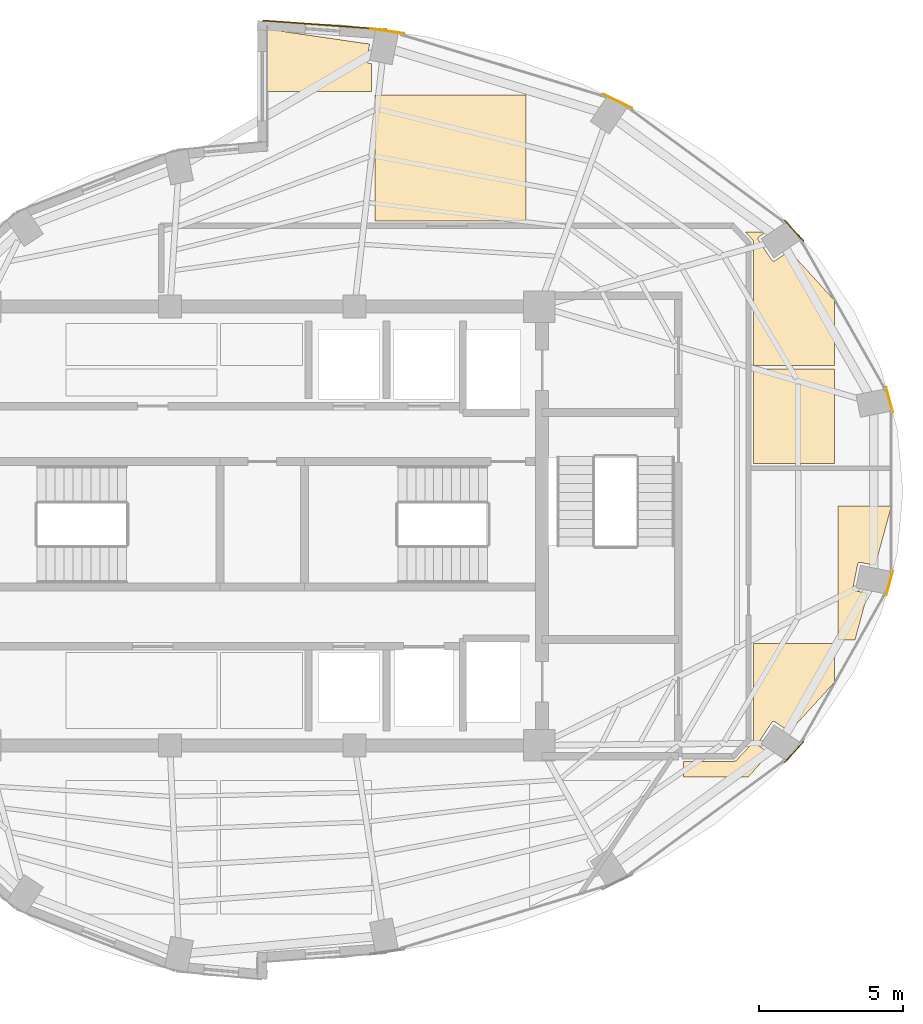
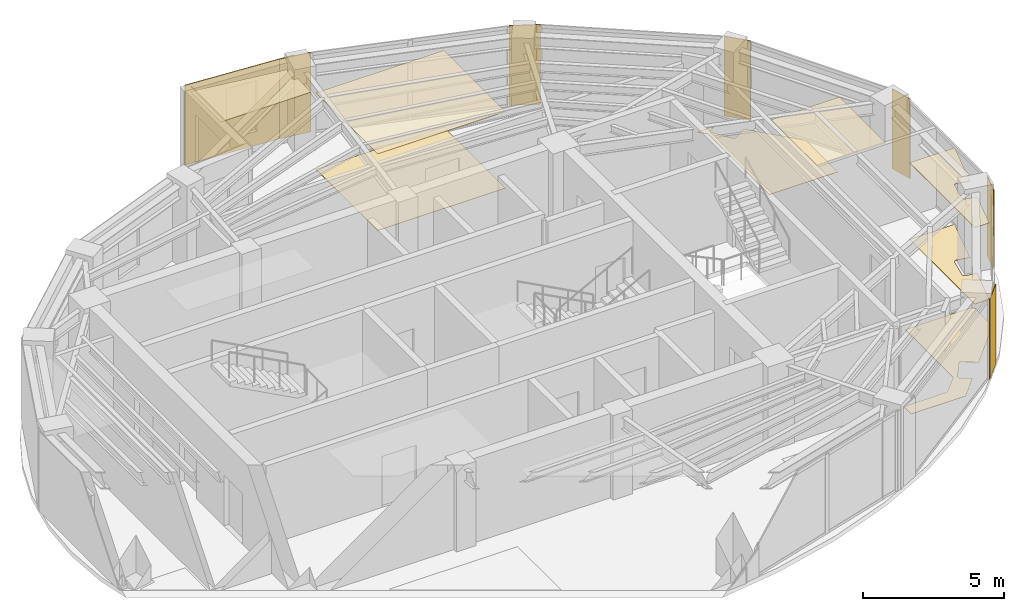
# One storey, part 12 of 12: 15 coverings.
"""IFC4 building model written with IfcOpenShell, lengths in metres."""

from ifc_helpers import new_model, si_unit, direction, frame, origin, origin_2d, place, context, subcontext, project, spatial, polyline, rectangle, outline, extrude, material, layer, layer_set, type_object, element, save


model = new_model("IFC4")

# Units and contexts
model_context = context("Model", 3, precision=1e-05, world=origin(), true_north=direction((0.0, 1.0)))
body_context = subcontext(model_context, "Body", "Model", "MODEL_VIEW")
ifc_project = project(units=[si_unit("LENGTHUNIT", "METRE"), si_unit("AREAUNIT", "SQUARE_METRE"), si_unit("VOLUMEUNIT", "CUBIC_METRE"), si_unit("PLANEANGLEUNIT", "RADIAN"), si_unit("MASSUNIT", "GRAM", prefix="KILO")], contexts=[model_context])

# Site, building, storey
site_placement = place(None, origin())
site = spatial("IfcSite", under=ifc_project, at=site_placement, CompositionType="ELEMENT")
building_placement = place(site_placement, origin())
building = spatial("IfcBuilding", under=site, at=building_placement, Name="Lazwardi Medical Tower", CompositionType="ELEMENT")
storey_placement = place(building_placement, frame((0.0, 0.0, 287.85595703125)))
storey = spatial("IfcBuildingStorey", under=building, at=storey_placement, Name="L75", CompositionType="ELEMENT", Elevation=287.85595703125)

# Coverings
ifc_material_1 = material(Name="Anodised bronze aluminium cassette cladding", Category="aluminium")
ifc_layer_1 = layer(ifc_material_1, 0.030029296875)
ifc_layer_set_1 = layer_set([ifc_layer_1], Name="Anodised bronze aluminium cassette cladding")
covering_type_1 = type_object("IfcCoveringType", Name="COV-CLD-BRZ", PredefinedType="CLADDING", material=ifc_layer_set_1)
covering_1_placement = place(storey_placement, frame((54.42529296875, 20.165283203125, 0.0), z_axis=(0.0, 0.0, 1.0), x_axis=(0.673240970654, 0.739423150458, 0.0)))
element("IfcCovering", 1, at=covering_1_placement, inside=storey, type_object=covering_type_1, Name="L75 Mega-column bronze cassette cover M03", PredefinedType="CLADDING", context=body_context, shape_type="SweptSolid", body=[
    extrude(rectangle(XDim=0.98974609375, YDim=0.030029296875, at=origin_2d()), origin(), (0.0, 0.0, 1.0), 3.447998046875),
])
for number, where, z_axis, x_axis, name in (
    (2, (57.734130859375, 26.02734375, 0.0), (0.0, 0.0, 1.0), (0.261641748247, 0.96516506131, 0.0), "L75 Mega-column bronze cassette cover M04"),
    (3, (57.734130859375, 32.37255859375, 0.0), (0.0, 0.0, 1.0), (-0.261641748247, 0.96516506131, 0.0), "L75 Mega-column bronze cassette cover M05"),
):
    element("IfcCovering", number, at=place(storey_placement, frame(where, z_axis=z_axis, x_axis=x_axis)), inside=storey, type_object=covering_type_1, Name=name, PredefinedType="CLADDING", context=body_context, shape_type="SweptSolid", body=[
        extrude(rectangle(XDim=0.894287109375, YDim=0.030029296875, at=origin_2d()), origin(), (0.0, 0.0, 1.0), 3.447998046875),
    ])
covering_2_placement = place(storey_placement, frame((54.42529296875, 38.234619140625, 0.0), z_axis=(0.0, 0.0, 1.0), x_axis=(-0.673240970654, 0.739423150458, 0.0)))
element("IfcCovering", 4, at=covering_2_placement, inside=storey, type_object=covering_type_1, Name="L75 Mega-column bronze cassette cover M06", PredefinedType="CLADDING", context=body_context, shape_type="SweptSolid", body=[
    extrude(rectangle(XDim=0.98974609375, YDim=0.030029296875, at=origin_2d()), origin(), (0.0, 0.0, 1.0), 3.447998046875),
])
covering_3_placement = place(storey_placement, frame((48.311279296875, 42.721435546875, 0.0), z_axis=(0.0, 0.0, 1.0), x_axis=(-0.897840141691, 0.440321564278, 0.0)))
element("IfcCovering", 5, at=covering_3_placement, inside=storey, type_object=covering_type_1, Name="L75 Mega-column bronze cassette cover M07", PredefinedType="CLADDING", context=body_context, shape_type="SweptSolid", body=[
    extrude(rectangle(XDim=1.110595703125, YDim=0.030029296875, at=origin_2d()), origin(), (0.0, 0.0, 1.0), 3.447998046875),
])
covering_4_placement = place(storey_placement, frame((40.3232421875, 45.1494140625, 0.0), z_axis=(0.0, 0.0, 1.0), x_axis=(-0.989512431533, 0.144447733943, 0.0)))
element("IfcCovering", 6, at=covering_4_placement, inside=storey, type_object=covering_type_1, Name="L75 Mega-column bronze cassette cover M08", PredefinedType="CLADDING", context=body_context, shape_type="SweptSolid", body=[
    extrude(rectangle(XDim=1.188720703125, YDim=0.030029296875, at=origin_2d()), origin(), (0.0, 0.0, 1.0), 3.447998046875),
])
ifc_material_2 = material(Name="Turquoise glazed ceramic tilework cladding", Category="masonry")
ifc_layer_2 = layer(ifc_material_2, 0.034912109375)
ifc_layer_set_2 = layer_set([ifc_layer_2], Name="Turquoise glazed ceramic tilework cladding")
covering_type_2 = type_object("IfcCoveringType", Name="COV-CLD-TRQ", PredefinedType="CLADDING", material=ifc_layer_set_2)
covering_5_placement = place(storey_placement, frame((38.16259765625, 45.360107421875, 0.0), z_axis=(0.0, 0.0, 1.0), x_axis=(-0.997409491337, 0.071932653157, 0.0)))
element("IfcCovering", 7, at=covering_5_placement, inside=storey, type_object=covering_type_2, Name="L75 Turquoise glazed ceramic tilework cladding", PredefinedType="CLADDING", context=body_context, shape_type="SweptSolid", body=[
    extrude(rectangle(XDim=4.31103515625, YDim=0.034912109375, at=origin_2d()), origin(), (0.0, 0.0, 1.0), 3.447998046875),
])
ifc_material_3 = material(Name="Acoustic mineral fibre tile")
ifc_layer_3 = layer(ifc_material_3, 0.02490234375)
ifc_layer_set_3 = layer_set([ifc_layer_3], Name="Acoustic mineral fibre tile")
covering_type_3 = type_object("IfcCoveringType", Name="COV-CLG-01", PredefinedType="CEILING", material=ifc_layer_set_3)
covering_6_placement = place(storey_placement, frame((0.0, 0.0, 3.302978515625)))
element("IfcCovering", 8, at=covering_6_placement, inside=storey, type_object=covering_type_3, Name="L75 Clinical Acoustic Ceiling 5", PredefinedType="CEILING", context=body_context, shape_type="SweptSolid", body=[
    extrude(outline(polyline([(39.78173828125, 44.021484375), (39.67529296875, 44.042724609375), (39.667724609375, 44.044677734375), (39.660400390625, 44.04736328125), (39.6533203125, 44.050537109375), (39.646484375, 44.0546875), (39.64013671875, 44.059326171875), (39.63427734375, 44.064697265625), (39.629150390625, 44.0703125), (39.62451171875, 44.076904296875), (39.620361328125, 44.08349609375), (39.616943359375, 44.090576171875), (39.6142578125, 44.097900390625), (39.6123046875, 44.105712890625), (39.611328125, 44.11328125), (39.61083984375, 44.12109375), (39.611328125, 44.12890625), (39.6123046875, 44.13671875), (39.723876953125, 44.697021484375), (36.080078125, 45.2275390625), (36.080078125, 43.056396484375), (39.78173828125, 43.056396484375), (39.78173828125, 44.021484375)])), origin(), (0.0, 0.0, 1.0), 0.025146484375),
])
covering_7_placement = place(storey_placement, frame((0.0, 0.0, 3.302978515625)))
element("IfcCovering", 9, at=covering_7_placement, inside=storey, type_object=covering_type_3, Name="L75 Clinical Acoustic Ceiling 6", PredefinedType="CEILING", context=body_context, shape_type="SweptSolid", body=[
    extrude(outline(polyline([(39.90185546875, 38.574951171875), (45.1318359375, 38.574951171875), (45.1318359375, 42.936279296875), (39.90185546875, 42.936279296875), (39.90185546875, 38.574951171875)])), origin(), (0.0, 0.0, 1.0), 0.025146484375),
])
covering_8_placement = place(storey_placement, frame((0.0, 0.0, 3.302978515625)))
element("IfcCovering", 10, at=covering_8_placement, inside=storey, type_object=covering_type_3, Name="L75 Clinical Acoustic Ceiling 7", PredefinedType="CEILING", context=body_context, shape_type="SweptSolid", body=[
    extrude(outline(polyline([(53.02490234375, 33.436279296875), (53.02490234375, 30.1650390625), (55.831787109375, 30.1650390625), (55.831787109375, 33.436279296875), (53.02490234375, 33.436279296875)])), origin(), (0.0, 0.0, 1.0), 0.025146484375),
])
covering_9_placement = place(storey_placement, frame((0.0, 0.0, 3.302978515625)))
element("IfcCovering", 11, at=covering_9_placement, inside=storey, type_object=covering_type_3, Name="L75 Clinical Acoustic Ceiling 8", PredefinedType="CEILING", context=body_context, shape_type="SweptSolid", body=[
    extrude(outline(polyline([(56.53955078125, 24.056396484375), (56.9775390625, 25.668701171875), (56.5283203125, 25.7578125), (56.520751953125, 25.759765625), (56.513427734375, 25.762451171875), (56.50634765625, 25.765869140625), (56.49951171875, 25.77001953125), (56.4931640625, 25.774658203125), (56.4873046875, 25.77978515625), (56.482177734375, 25.78564453125), (56.4775390625, 25.7919921875), (56.473388671875, 25.798583984375), (56.47021484375, 25.805908203125), (56.46728515625, 25.813232421875), (56.465576171875, 25.82080078125), (56.46435546875, 25.82861328125), (56.464111328125, 25.83642578125), (56.46435546875, 25.84423828125), (56.465576171875, 25.85205078125), (56.62939453125, 26.67578125), (56.63134765625, 26.683349609375), (56.634033203125, 26.69091796875), (56.63720703125, 26.697998046875), (56.641357421875, 26.70458984375), (56.64599609375, 26.7109375), (56.6513671875, 26.716796875), (56.656982421875, 26.721923828125), (56.66357421875, 26.726806640625), (56.670166015625, 26.730712890625), (56.67724609375, 26.734130859375), (56.684814453125, 26.73681640625), (56.6923828125, 26.73876953125), (56.7001953125, 26.73974609375), (56.7080078125, 26.740234375), (56.7158203125, 26.73974609375), (56.723388671875, 26.73876953125), (57.240478515625, 26.635986328125), (57.797607421875, 28.686279296875), (55.951904296875, 28.686279296875), (55.951904296875, 24.056396484375), (56.53955078125, 24.056396484375)])), origin(), (0.0, 0.0, 1.0), 0.025146484375),
])
ifc_material_4 = material(Name="Anti-static hospital vinyl sheet flooring")
ifc_layer_4 = layer(ifc_material_4, 0.014892578125)
ifc_layer_set_4 = layer_set([ifc_layer_4], Name="Anti-static hospital vinyl sheet flooring")
covering_type_4 = type_object("IfcCoveringType", Name="COV-FLR-01", PredefinedType="FLOORING", material=ifc_layer_set_4)
covering_10_placement = place(storey_placement, origin())
element("IfcCovering", 12, at=covering_10_placement, inside=storey, type_object=covering_type_4, Name="L75 Clinical Vinyl Flooring 6", PredefinedType="FLOORING", context=body_context, shape_type="SweptSolid", body=[
    extrude(outline(polyline([(39.90185546875, 38.574951171875), (45.1318359375, 38.574951171875), (45.1318359375, 42.936279296875), (39.90185546875, 42.936279296875), (39.90185546875, 38.574951171875)])), origin(), (0.0, 0.0, 1.0), 0.01513671875),
])
covering_11_placement = place(storey_placement, origin())
element("IfcCovering", 13, at=covering_11_placement, inside=storey, type_object=covering_type_4, Name="L75 Clinical Vinyl Flooring 8", PredefinedType="FLOORING", context=body_context, shape_type="SweptSolid", body=[
    extrude(outline(polyline([(53.02490234375, 23.936279296875), (53.02490234375, 20.58984375), (53.02490234375, 20.586181640625), (53.0244140625, 20.577392578125), (53.023681640625, 20.5693359375), (53.0224609375, 20.560546875), (53.021240234375, 20.55419921875), (53.019287109375, 20.545654296875), (53.016845703125, 20.537353515625), (53.013916015625, 20.529052734375), (53.01123046875, 20.522216796875), (53.007568359375, 20.513916015625), (53.004150390625, 20.507080078125), (52.999755859375, 20.49951171875), (52.995849609375, 20.493408203125), (52.99072265625, 20.486083984375), (52.986083984375, 20.47998046875), (52.980224609375, 20.47314453125), (52.977783203125, 20.470458984375), (52.44580078125, 19.900634765625), (52.44287109375, 19.897705078125), (52.435791015625, 19.89111328125), (52.429443359375, 19.88525390625), (52.421630859375, 19.87939453125), (52.415283203125, 19.874755859375), (52.406982421875, 19.86962890625), (52.399658203125, 19.865478515625), (52.39111328125, 19.861083984375), (52.383544921875, 19.85791015625), (52.37451171875, 19.8544921875), (52.3671875, 19.852294921875), (52.357666015625, 19.849609375), (52.349609375, 19.847900390625), (52.33984375, 19.846435546875), (52.33154296875, 19.845703125), (52.322021484375, 19.84521484375), (52.31787109375, 19.844970703125), (50.60791015625, 19.844970703125), (50.606689453125, 19.843505859375), (50.601806640625, 19.839111328125), (50.601806640625, 19.306396484375), (52.835693359375, 19.306396484375), (53.584716796875, 20.126708984375), (53.2080078125, 20.37841796875), (53.20166015625, 20.38330078125), (53.19580078125, 20.388427734375), (53.190673828125, 20.394287109375), (53.185791015625, 20.400634765625), (53.181884765625, 20.4072265625), (53.178466796875, 20.414306640625), (53.17578125, 20.421875), (53.173828125, 20.429443359375), (53.1728515625, 20.437255859375), (53.17236328125, 20.445068359375), (53.1728515625, 20.452880859375), (53.173828125, 20.460693359375), (53.17578125, 20.46826171875), (53.178466796875, 20.4755859375), (53.181884765625, 20.482666015625), (53.185791015625, 20.489501953125), (53.652587890625, 21.187744140625), (53.6572265625, 21.194091796875), (53.66259765625, 21.199951171875), (53.66845703125, 21.205078125), (53.6748046875, 21.2099609375), (53.681396484375, 21.214111328125), (53.6884765625, 21.21728515625), (53.69580078125, 21.219970703125), (53.70361328125, 21.221923828125), (53.711181640625, 21.222900390625), (53.718994140625, 21.223388671875), (53.726806640625, 21.222900390625), (53.734619140625, 21.221923828125), (53.7421875, 21.219970703125), (53.749755859375, 21.21728515625), (53.7568359375, 21.214111328125), (53.763427734375, 21.2099609375), (54.2666015625, 20.873779296875), (55.831787109375, 22.5888671875), (55.831787109375, 23.936279296875), (53.02490234375, 23.936279296875)])), origin(), (0.0, 0.0, 1.0), 0.01513671875),
])
covering_12_placement = place(storey_placement, origin())
element("IfcCovering", 14, at=covering_12_placement, inside=storey, type_object=covering_type_4, Name="L75 Clinical Vinyl Flooring 9", PredefinedType="FLOORING", context=body_context, shape_type="SweptSolid", body=[
    extrude(outline(polyline([(55.831787109375, 35.811279296875), (54.2666015625, 37.526123046875), (53.763427734375, 37.190185546875), (53.7568359375, 37.18603515625), (53.749755859375, 37.1826171875), (53.7421875, 37.179931640625), (53.734619140625, 37.177978515625), (53.726806640625, 37.177001953125), (53.718994140625, 37.176513671875), (53.711181640625, 37.177001953125), (53.70361328125, 37.177978515625), (53.69580078125, 37.179931640625), (53.6884765625, 37.1826171875), (53.681396484375, 37.18603515625), (53.6748046875, 37.190185546875), (53.66845703125, 37.19482421875), (53.66259765625, 37.199951171875), (53.6572265625, 37.205810546875), (53.652587890625, 37.212158203125), (53.185791015625, 37.91064453125), (53.181884765625, 37.917236328125), (53.178466796875, 37.92431640625), (53.17578125, 37.931884765625), (53.173828125, 37.939453125), (53.1728515625, 37.947265625), (53.17236328125, 37.955078125), (53.1728515625, 37.962890625), (53.173828125, 37.970703125), (53.17578125, 37.978271484375), (53.178466796875, 37.985595703125), (53.181884765625, 37.99267578125), (53.185791015625, 37.99951171875), (53.190673828125, 38.005859375), (53.19580078125, 38.01171875), (53.20166015625, 38.016845703125), (53.2080078125, 38.021484375), (53.45458984375, 38.186279296875), (52.738037109375, 38.186279296875), (52.977783203125, 37.929443359375), (52.980224609375, 37.9267578125), (52.986083984375, 37.919921875), (52.99072265625, 37.913818359375), (52.995849609375, 37.906494140625), (52.999755859375, 37.900390625), (53.004150390625, 37.892822265625), (53.007568359375, 37.885986328125), (53.01123046875, 37.877685546875), (53.013916015625, 37.87109375), (53.016845703125, 37.862548828125), (53.019287109375, 37.8544921875), (53.021240234375, 37.845703125), (53.0224609375, 37.839599609375), (53.023681640625, 37.830810546875), (53.0244140625, 37.822509765625), (53.02490234375, 37.813720703125), (53.02490234375, 37.81005859375), (53.02490234375, 33.556396484375), (55.831787109375, 33.556396484375), (55.831787109375, 35.811279296875)])), origin(), (0.0, 0.0, 1.0), 0.01513671875),
])
covering_13_placement = place(storey_placement, origin())
element("IfcCovering", 15, at=covering_13_placement, inside=storey, type_object=covering_type_4, Name="L75 Clinical Vinyl Flooring 10", PredefinedType="FLOORING", context=body_context, shape_type="SweptSolid", body=[
    extrude(outline(polyline([(56.53955078125, 24.056396484375), (56.9775390625, 25.668701171875), (56.5283203125, 25.7578125), (56.520751953125, 25.759765625), (56.513427734375, 25.762451171875), (56.50634765625, 25.765869140625), (56.49951171875, 25.77001953125), (56.4931640625, 25.774658203125), (56.4873046875, 25.77978515625), (56.482177734375, 25.78564453125), (56.4775390625, 25.7919921875), (56.473388671875, 25.798583984375), (56.47021484375, 25.805908203125), (56.46728515625, 25.813232421875), (56.465576171875, 25.82080078125), (56.46435546875, 25.82861328125), (56.464111328125, 25.83642578125), (56.46435546875, 25.84423828125), (56.465576171875, 25.85205078125), (56.62939453125, 26.67578125), (56.63134765625, 26.683349609375), (56.634033203125, 26.69091796875), (56.63720703125, 26.697998046875), (56.641357421875, 26.70458984375), (56.64599609375, 26.7109375), (56.6513671875, 26.716796875), (56.656982421875, 26.721923828125), (56.66357421875, 26.726806640625), (56.670166015625, 26.730712890625), (56.67724609375, 26.734130859375), (56.684814453125, 26.73681640625), (56.6923828125, 26.73876953125), (56.7001953125, 26.73974609375), (56.7080078125, 26.740234375), (56.7158203125, 26.73974609375), (56.723388671875, 26.73876953125), (57.240478515625, 26.635986328125), (57.797607421875, 28.686279296875), (55.951904296875, 28.686279296875), (55.951904296875, 24.056396484375), (56.53955078125, 24.056396484375)])), origin(), (0.0, 0.0, 1.0), 0.01513671875),
])

save(model, "model.ifc")
